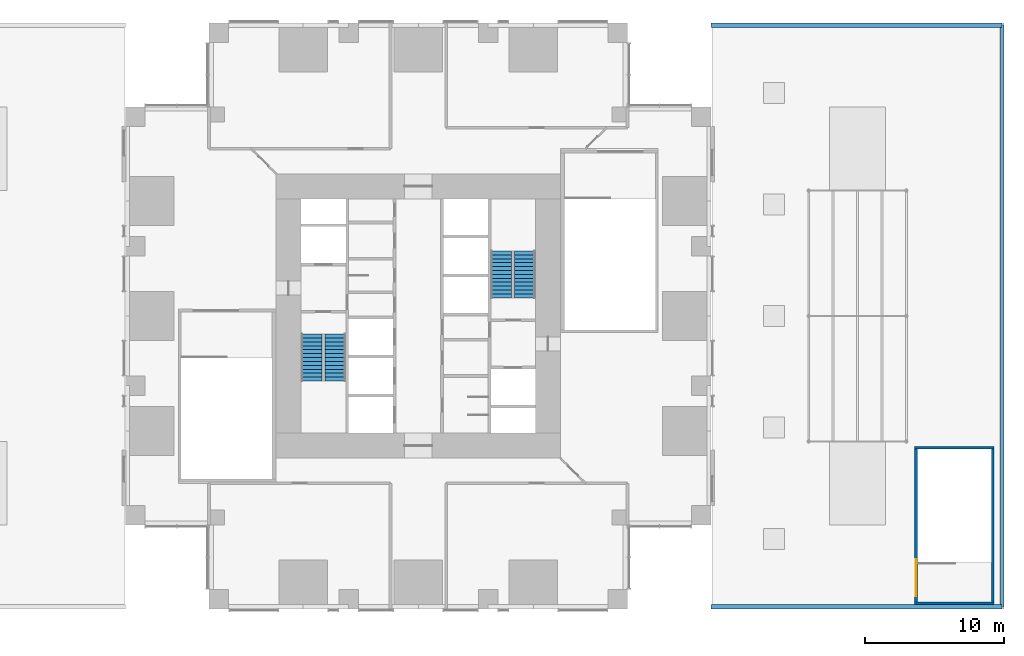
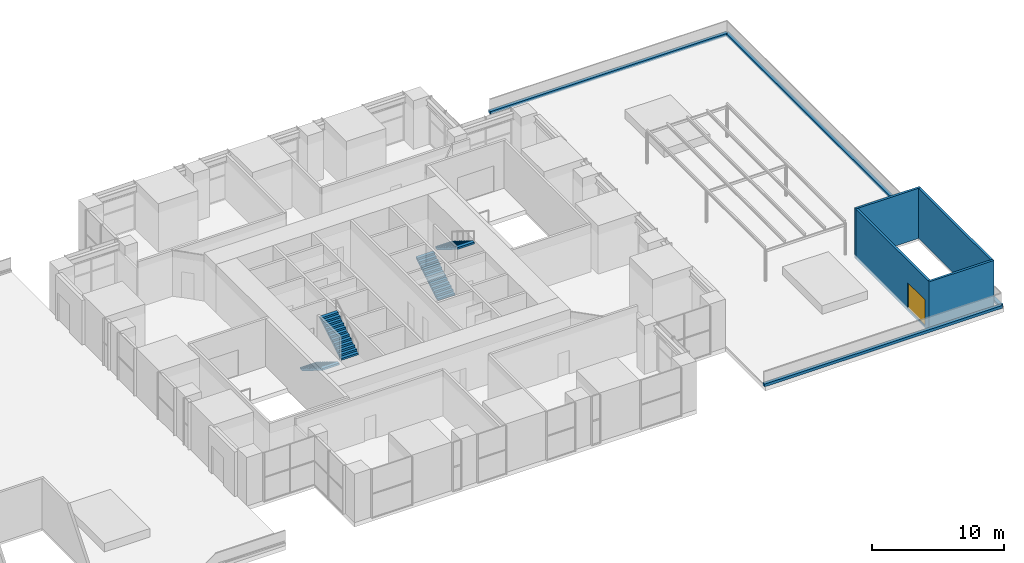
# One storey, part 12 of 14: 7 walls, 4 stair flights, 1 door, 1 opening, 2 elements without a shape of their own.
"""IFC4 building model written with IfcOpenShell, lengths in metres."""

from ifc_helpers import new_model, si_unit, direction, frame, frame_2d, origin, place, context, subcontext, project, spatial, polyline, rectangle, outline, extrude, material, layer, layer_set, type_object, element, fill, aggregate, save


model = new_model("IFC4")

# Units and contexts
model_context = context("Model", 3, precision=1e-05, world=origin(), true_north=direction((0.0, 1.0)))
body_context = subcontext(model_context, "Body", "Model", "MODEL_VIEW")
ifc_project = project(units=[si_unit("LENGTHUNIT", "METRE"), si_unit("AREAUNIT", "SQUARE_METRE"), si_unit("VOLUMEUNIT", "CUBIC_METRE"), si_unit("PLANEANGLEUNIT", "RADIAN"), si_unit("MASSUNIT", "GRAM", prefix="KILO")], contexts=[model_context])

# Site, building, storey
site_placement = place(None, origin())
site = spatial("IfcSite", under=ifc_project, at=site_placement, CompositionType="ELEMENT")
building_placement = place(site_placement, origin())
building = spatial("IfcBuilding", under=site, at=building_placement, Name="Svetlomir Tower", CompositionType="ELEMENT")
storey_placement = place(building_placement, frame((0.0, 0.0, 18.0)))
storey = spatial("IfcBuildingStorey", under=building, at=storey_placement, Name="L03", CompositionType="ELEMENT", Elevation=18.0)

# Walls
ifc_material_1 = material(Name="Concrete C60/75", Category="concrete")
ifc_layer_1 = layer(ifc_material_1, 0.199951171875)
ifc_layer_set_1 = layer_set([ifc_layer_1], Name="Concrete C60/75")
wall_type_1 = type_object("IfcWallType", Name="STAIR CORE WALL RC 200", PredefinedType="SOLIDWALL", material=ifc_layer_set_1)
wall_1_placement = place(storey_placement, frame((56.60009765625, 0.39990234375, -0.199951171875), z_axis=(0.0, 0.0, 1.0), x_axis=(1.0, 0.0, 0.0)))
element("IfcWall", 1, at=wall_1_placement, inside=storey, type_object=wall_type_1, Name="Stair P4 enclosure wall L03", PredefinedType="SOLIDWALL", context=body_context, shape_type="SweptSolid", body=[
    extrude(rectangle(XDim=5.699951171875, YDim=0.199951171875, at=frame_2d((2.85009765625, 0.0))), origin(), (0.0, 0.0, 1.0), 4.64990234375),
])
wall_2_placement = place(storey_placement, frame((62.199951171875, 0.300048828125, -0.199951171875), z_axis=(0.0, 0.0, 1.0), x_axis=(0.0, 1.0, 0.0)))
element("IfcWall", 2, at=wall_2_placement, inside=storey, type_object=wall_type_1, Name="Stair P4 enclosure wall L03", PredefinedType="SOLIDWALL", context=body_context, shape_type="SweptSolid", body=[
    extrude(rectangle(XDim=11.349853515625, YDim=0.199951171875, at=frame_2d((5.6748046875, 0.0))), origin(), (0.0, 0.0, 1.0), 4.64990234375),
])
wall_3_placement = place(storey_placement, frame((62.300048828125, 11.550048828125, -0.199951171875), z_axis=(0.0, 0.0, 1.0), x_axis=(-1.0, 0.0, 0.0)))
element("IfcWall", 3, at=wall_3_placement, inside=storey, type_object=wall_type_1, Name="Stair P4 enclosure wall L03", PredefinedType="SOLIDWALL", context=body_context, shape_type="SweptSolid", body=[
    extrude(rectangle(XDim=5.699951171875, YDim=0.199951171875, at=frame_2d((2.85009765625, 0.0))), origin(), (0.0, 0.0, 1.0), 4.64990234375),
])

# Wall, opening, door
wall_4_placement = place(storey_placement, frame((56.699951171875, 11.64990234375, -0.199951171875), z_axis=(0.0, 0.0, 1.0), x_axis=(0.0, -1.0, 0.0)))
wall_4 = element("IfcWall", 4, at=wall_4_placement, inside=storey, type_object=wall_type_1, Name="Stair P4 enclosure wall L03", PredefinedType="SOLIDWALL", context=body_context, shape_type="SweptSolid", body=[
    extrude(rectangle(XDim=11.349853515625, YDim=0.199951171875, at=frame_2d((5.6748046875, 0.0))), origin(), (0.0, 0.0, 1.0), 4.64990234375),
])
opening_placement = place(wall_4_placement, frame((8.10009765625, 0.0, 0.199951171875)))
opening = element("IfcOpeningElement", 5, at=opening_placement, cuts=wall_4, Name="Opening DS26", PredefinedType="OPENING", context=body_context, shape_type="SweptSolid", body=[
    extrude(rectangle(XDim=2.64990234375, YDim=2.39990234375, at=frame_2d((1.324951171875, 1.199951171875))), frame((0.0, 0.10986328125, 0.0), z_axis=(0.0, -1.0, 0.0), x_axis=(1.0, 0.0, 0.0)), (0.0, 0.0, 1.0), 0.219970703125),
])
ifc_material_2 = material(Name="Steel fire door", Category="steel")
door_type = type_object("IfcDoorType", Name="STAIR DOUBLE DOOR DS 2650x2400", OperationType="DOUBLE_DOOR_SINGLE_SWING", PredefinedType="DOOR", material=ifc_material_2)
door_placement = place(opening_placement, origin())
door = element("IfcDoor", 6, at=door_placement, inside=storey, type_object=door_type, Name="Stair P4 door L03", OperationType="DOUBLE_DOOR_SINGLE_SWING", OverallHeight=2.39990234375, OverallWidth=2.64990234375, PredefinedType="DOOR", context=body_context, shape_type="SweptSolid", body=[
    extrude(rectangle(XDim=2.64990234375, YDim=2.39990234375, at=frame_2d((1.324951171875, 1.199951171875))), frame((0.0, 0.02490234375, 0.0), z_axis=(0.0, -1.0, 0.0), x_axis=(1.0, 0.0, 0.0)), (0.0, 0.0, 1.0), 0.050048828125),
])
fill(opening, door)

# Walls
ifc_material_3 = material(Name="Precast concrete C60/75", Category="concrete")
ifc_layer_2 = layer(ifc_material_3, 0.300048828125)
ifc_layer_set_2 = layer_set([ifc_layer_2], Name="Precast concrete C60/75")
wall_type_2 = type_object("IfcWallType", Name="TERRACE PARAPET 300", PredefinedType="PARAPET", material=ifc_layer_set_2)
wall_5_placement = place(storey_placement, frame((42.0, 0.14990234375, 0.0), z_axis=(0.0, 0.0, 1.0), x_axis=(1.0, 0.0, 0.0)))
element("IfcWall", 7, at=wall_5_placement, inside=storey, type_object=wall_type_2, Name="Roof terrace parapet E1", PredefinedType="PARAPET", context=body_context, shape_type="SweptSolid", body=[
    extrude(rectangle(XDim=20.85009765625, YDim=0.300048828125, at=frame_2d((10.425048828125, 0.0))), origin(), (0.0, 0.0, 1.0), 0.25),
])
wall_6_placement = place(storey_placement, frame((62.85009765625, 0.14990234375, 0.0), z_axis=(0.0, 0.0, 1.0), x_axis=(0.0, 1.0, 0.0)))
element("IfcWall", 8, at=wall_6_placement, inside=storey, type_object=wall_type_2, Name="Roof terrace parapet E2", PredefinedType="PARAPET", context=body_context, shape_type="SweptSolid", body=[
    extrude(rectangle(XDim=41.7001953125, YDim=0.300048828125, at=frame_2d((20.85009765625, 0.0))), origin(), (0.0, 0.0, 1.0), 0.25),
])
wall_7_placement = place(storey_placement, frame((62.85009765625, 41.85009765625, 0.0), z_axis=(0.0, 0.0, 1.0), x_axis=(-1.0, 0.0, 0.0)))
element("IfcWall", 9, at=wall_7_placement, inside=storey, type_object=wall_type_2, Name="Roof terrace parapet E3", PredefinedType="PARAPET", context=body_context, shape_type="SweptSolid", body=[
    extrude(rectangle(XDim=20.85009765625, YDim=0.300048828125, at=frame_2d((10.425048828125, 0.0))), origin(), (0.0, 0.0, 1.0), 0.25),
])

# Stair, stair flights
ifc_material_4 = material(Name="Concrete C60/75", Category="concrete")
stair_type = type_object("IfcStairType", Name="EXIT STAIR 3200 RISE 4500", PredefinedType="HALF_TURN_STAIR", material=ifc_material_4)
stair_1_placement = place(storey_placement, origin())
stair_1 = element("IfcStair", 10, at=stair_1_placement, inside=storey, type_object=stair_type, Name="Stair S1 L03 to L04", PredefinedType="HALF_TURN_STAIR")
ifc_material_5 = material(Name="Concrete C60/75", Category="concrete")
stair_flight_type = type_object("IfcStairFlightType", Name="STAIR FLIGHT 1500 OF 13 RISERS", PredefinedType="STRAIGHT", material=ifc_material_5)
stair_flight_1_placement = place(storey_placement, frame((13.35009765625, 19.699951171875, 0.0), z_axis=(0.0, 0.0, 1.0), x_axis=(0.0, -1.0, 0.0)))
stair_flight_1 = element("IfcStairFlight", 11, at=stair_flight_1_placement, type_object=stair_flight_type, Name="S1 flight 1", NumberOfRisers=13, NumberOfTreads=12, PredefinedType="STRAIGHT", RiserHeight=0.173076923, TreadLength=0.28, context=body_context, shape_type="SweptSolid", body=[
    extrude(outline(polyline([(0.0, 0.0), (0.0, 0.173095703125), (0.280029296875, 0.173095703125), (0.280029296875, 0.34619140625), (0.56005859375, 0.34619140625), (0.56005859375, 0.519287109375), (0.840087890625, 0.519287109375), (0.840087890625, 0.6923828125), (1.1201171875, 0.6923828125), (1.1201171875, 0.865478515625), (1.39990234375, 0.865478515625), (1.39990234375, 1.03857421875), (1.679931640625, 1.03857421875), (1.679931640625, 1.21142578125), (1.9599609375, 1.21142578125), (1.9599609375, 1.384521484375), (2.239990234375, 1.384521484375), (2.239990234375, 1.5576171875), (2.52001953125, 1.5576171875), (2.52001953125, 1.730712890625), (2.800048828125, 1.730712890625), (2.800048828125, 1.90380859375), (3.080078125, 1.90380859375), (3.080078125, 2.076904296875), (3.360107421875, 2.076904296875), (3.360107421875, 2.25), (3.360107421875, 1.900634765625), (0.28515625, 0.0), (0.0, 0.0)])), frame((0.0, 0.75, 0.0), z_axis=(0.0, -1.0, 0.0), x_axis=(1.0, 0.0, 0.0)), (0.0, 0.0, 1.0), 1.5),
])
stair_flight_2_placement = place(storey_placement, frame((15.050048828125, 16.340087890625, 2.25), z_axis=(0.0, 0.0, 1.0), x_axis=(0.0, 1.0, 0.0)))
stair_flight_2 = element("IfcStairFlight", 12, at=stair_flight_2_placement, type_object=stair_flight_type, Name="S1 flight 2", NumberOfRisers=13, NumberOfTreads=12, PredefinedType="STRAIGHT", RiserHeight=0.173076923, TreadLength=0.28, context=body_context, shape_type="SweptSolid", body=[
    extrude(outline(polyline([(0.0, 0.0), (0.0, 0.173095703125), (0.280029296875, 0.173095703125), (0.280029296875, 0.34619140625), (0.56005859375, 0.34619140625), (0.56005859375, 0.519287109375), (0.840087890625, 0.519287109375), (0.840087890625, 0.6923828125), (1.1201171875, 0.6923828125), (1.1201171875, 0.865478515625), (1.39990234375, 0.865478515625), (1.39990234375, 1.03857421875), (1.679931640625, 1.03857421875), (1.679931640625, 1.21142578125), (1.9599609375, 1.21142578125), (1.9599609375, 1.384521484375), (2.239990234375, 1.384521484375), (2.239990234375, 1.5576171875), (2.52001953125, 1.5576171875), (2.52001953125, 1.730712890625), (2.800048828125, 1.730712890625), (2.800048828125, 1.90380859375), (3.080078125, 1.90380859375), (3.080078125, 2.076904296875), (3.360107421875, 2.076904296875), (3.360107421875, 2.25), (3.360107421875, 1.900634765625), (0.28515625, 0.0), (0.0, 0.0)])), frame((0.0, 0.75, 0.0), z_axis=(0.0, -1.0, 0.0), x_axis=(1.0, 0.0, 0.0)), (0.0, 0.0, 1.0), 1.5),
])
aggregate(stair_1, [stair_flight_1, stair_flight_2])

stair_2_placement = place(storey_placement, origin())
stair_2 = element("IfcStair", 13, at=stair_2_placement, inside=storey, type_object=stair_type, Name="Stair S2 L03 to L04", PredefinedType="HALF_TURN_STAIR")
stair_flight_3_placement = place(storey_placement, frame((26.949951171875, 22.300048828125, 0.0), z_axis=(0.0, 0.0, 1.0), x_axis=(0.0, 1.0, 0.0)))
stair_flight_3 = element("IfcStairFlight", 14, at=stair_flight_3_placement, type_object=stair_flight_type, Name="S2 flight 1", NumberOfRisers=13, NumberOfTreads=12, PredefinedType="STRAIGHT", RiserHeight=0.173076923, TreadLength=0.28, context=body_context, shape_type="SweptSolid", body=[
    extrude(outline(polyline([(0.0, 0.0), (0.0, 0.173095703125), (0.280029296875, 0.173095703125), (0.280029296875, 0.34619140625), (0.56005859375, 0.34619140625), (0.56005859375, 0.519287109375), (0.840087890625, 0.519287109375), (0.840087890625, 0.6923828125), (1.1201171875, 0.6923828125), (1.1201171875, 0.865478515625), (1.39990234375, 0.865478515625), (1.39990234375, 1.03857421875), (1.679931640625, 1.03857421875), (1.679931640625, 1.21142578125), (1.9599609375, 1.21142578125), (1.9599609375, 1.384521484375), (2.239990234375, 1.384521484375), (2.239990234375, 1.5576171875), (2.52001953125, 1.5576171875), (2.52001953125, 1.730712890625), (2.800048828125, 1.730712890625), (2.800048828125, 1.90380859375), (3.080078125, 1.90380859375), (3.080078125, 2.076904296875), (3.360107421875, 2.076904296875), (3.360107421875, 2.25), (3.360107421875, 1.900634765625), (0.28515625, 0.0), (0.0, 0.0)])), frame((0.0, 0.75, 0.0), z_axis=(0.0, -1.0, 0.0), x_axis=(1.0, 0.0, 0.0)), (0.0, 0.0, 1.0), 1.5),
])
stair_flight_4_placement = place(storey_placement, frame((28.64990234375, 25.659912109375, 2.25), z_axis=(0.0, 0.0, 1.0), x_axis=(0.0, -1.0, 0.0)))
stair_flight_4 = element("IfcStairFlight", 15, at=stair_flight_4_placement, type_object=stair_flight_type, Name="S2 flight 2", NumberOfRisers=13, NumberOfTreads=12, PredefinedType="STRAIGHT", RiserHeight=0.173076923, TreadLength=0.28, context=body_context, shape_type="SweptSolid", body=[
    extrude(outline(polyline([(0.0, 0.0), (0.0, 0.173095703125), (0.280029296875, 0.173095703125), (0.280029296875, 0.34619140625), (0.56005859375, 0.34619140625), (0.56005859375, 0.519287109375), (0.840087890625, 0.519287109375), (0.840087890625, 0.6923828125), (1.1201171875, 0.6923828125), (1.1201171875, 0.865478515625), (1.39990234375, 0.865478515625), (1.39990234375, 1.03857421875), (1.679931640625, 1.03857421875), (1.679931640625, 1.21142578125), (1.9599609375, 1.21142578125), (1.9599609375, 1.384521484375), (2.239990234375, 1.384521484375), (2.239990234375, 1.5576171875), (2.52001953125, 1.5576171875), (2.52001953125, 1.730712890625), (2.800048828125, 1.730712890625), (2.800048828125, 1.90380859375), (3.080078125, 1.90380859375), (3.080078125, 2.076904296875), (3.360107421875, 2.076904296875), (3.360107421875, 2.25), (3.360107421875, 1.900634765625), (0.28515625, 0.0), (0.0, 0.0)])), frame((0.0, 0.75, 0.0), z_axis=(0.0, -1.0, 0.0), x_axis=(1.0, 0.0, 0.0)), (0.0, 0.0, 1.0), 1.5),
])
aggregate(stair_2, [stair_flight_3, stair_flight_4])

save(model, "model.ifc")
